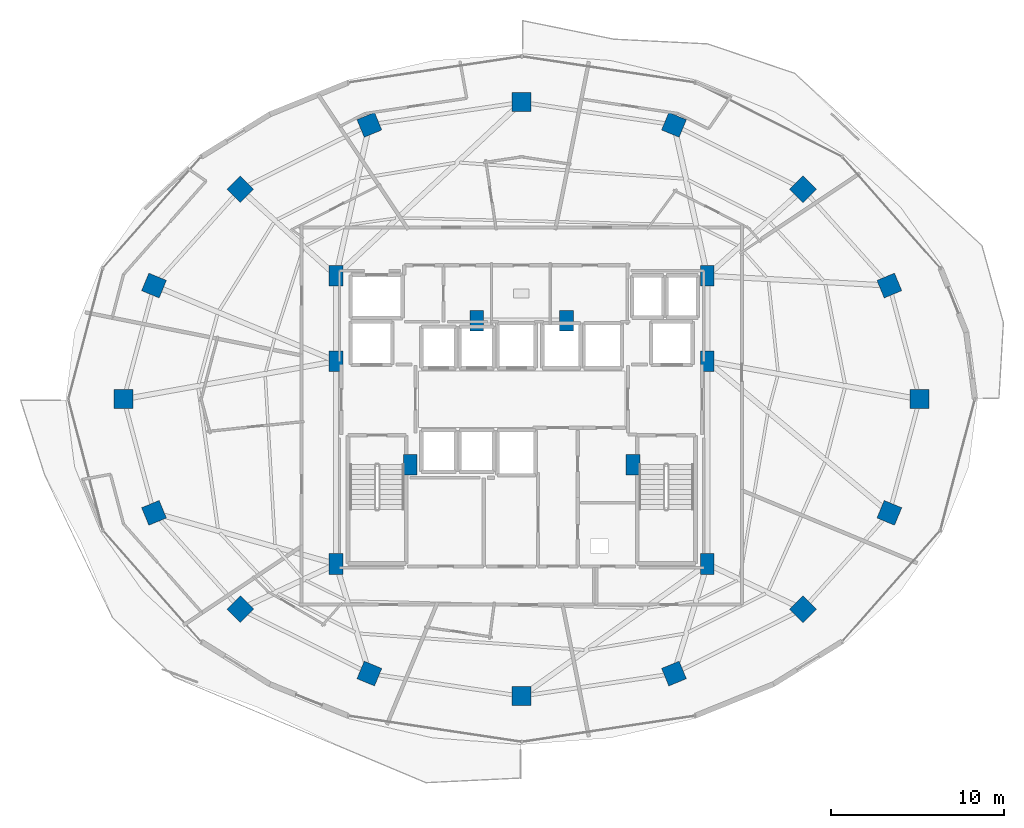
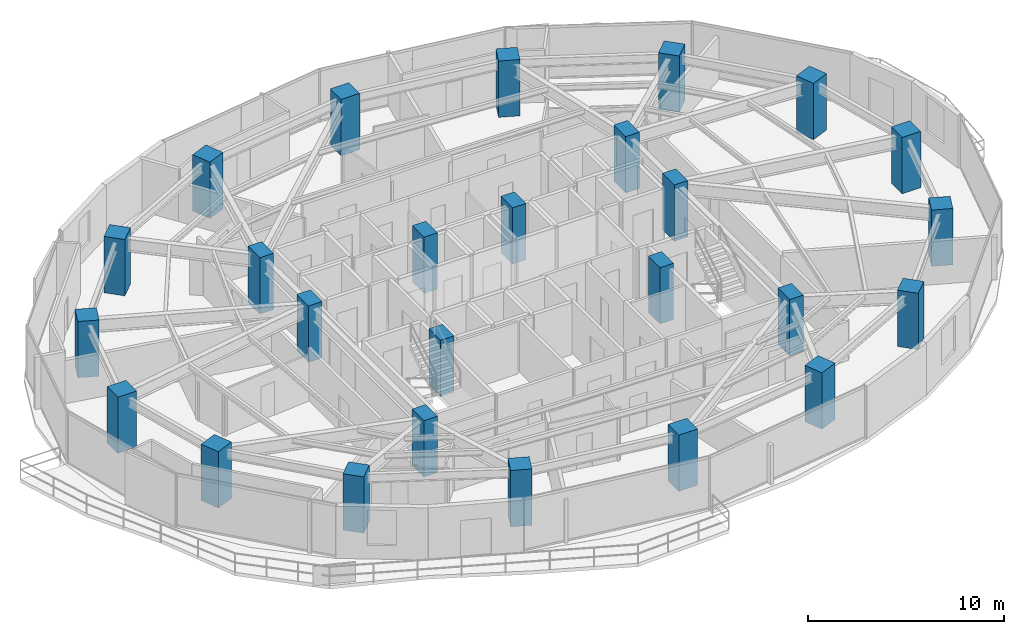
# One storey, part 1 of 30: 26 columns.
"""IFC4 building model written with IfcOpenShell, lengths in metres."""

from ifc_helpers import new_model, si_unit, direction, frame, origin, origin_2d, place, context, subcontext, project, spatial, rectangle, extrude, material, material_profile, profile_set, type_object, element, save


model = new_model("IFC4")

# Units and contexts
model_context = context("Model", 3, precision=1e-05, world=origin(), true_north=direction((0.0, 1.0)))
body_context = subcontext(model_context, "Body", "Model", "MODEL_VIEW")
ifc_project = project(units=[si_unit("LENGTHUNIT", "METRE"), si_unit("AREAUNIT", "SQUARE_METRE"), si_unit("VOLUMEUNIT", "CUBIC_METRE"), si_unit("PLANEANGLEUNIT", "RADIAN"), si_unit("MASSUNIT", "GRAM", prefix="KILO")], contexts=[model_context])

# Site, building, storey
site_placement = place(None, origin())
site = spatial("IfcSite", under=ifc_project, at=site_placement, CompositionType="ELEMENT")
building_placement = place(site_placement, origin())
building = spatial("IfcBuilding", under=site, at=building_placement, Name="Vorneva Point Tower", CompositionType="ELEMENT")
storey_placement = place(building_placement, frame((0.0, 0.0, 78.800048828125)))
storey = spatial("IfcBuildingStorey", under=building, at=storey_placement, Name="L20", CompositionType="ELEMENT", Elevation=78.800048828125)

# Columns
ifc_material = material(Name="Concrete B60 (C50/60)", Category="concrete")
ifc_material_profile_1 = material_profile(ifc_material, rectangle(XDim=1.10009765625, YDim=1.10009765625, at=origin_2d()), Name="RC-COL 1100x1100")
ifc_profile_set_1 = profile_set([ifc_material_profile_1], Name="Concrete B60 (C50/60)")
column_type_1 = type_object("IfcColumnType", Name="COL-RC1100", PredefinedType="COLUMN", material=ifc_profile_set_1)
for number, where, z_axis, x_axis, name in (
    (1, (61.050048828125, 26.0, 0.0), (0.0, 0.0, 1.0), (1.0, 0.0, 0.0), "L20 Perimeter Column P01"),
    (2, (59.29541015625, 32.582275390625, 0.0), (0.0, 0.0, 1.0), (0.923879532511, 0.382683432365, 0.0), "L20 Perimeter Column P02"),
    (3, (54.298828125, 38.162109375, 0.0), (0.0, 0.0, 1.0), (0.707106781187, 0.707106781187, 0.0), "L20 Perimeter Column P03"),
    (4, (46.82080078125, 41.890625, 0.0), (0.0, 0.0, 1.0), (0.382683432365, 0.923879532511, 0.0), "L20 Perimeter Column P04"),
    (5, (38.0, 43.199951171875, 0.0), (0.0, 0.0, 1.0), (0.0, 1.0, 0.0), "L20 Perimeter Column P05"),
    (6, (29.17919921875, 41.890625, 0.0), (0.0, 0.0, 1.0), (-0.382683432365, 0.923879532511, 0.0), "L20 Perimeter Column P06"),
    (7, (21.701171875, 38.162109375, 0.0), (0.0, 0.0, 1.0), (-0.707106781187, 0.707106781187, 0.0), "L20 Perimeter Column P07"),
    (8, (16.70458984375, 32.582275390625, 0.0), (0.0, 0.0, 1.0), (-0.923879532511, 0.382683432365, 0.0), "L20 Perimeter Column P08"),
    (9, (14.949951171875, 26.0, 0.0), (0.0, 0.0, 1.0), (-1.0, 0.0, 0.0), "L20 Perimeter Column P09"),
    (10, (16.70458984375, 19.417724609375, 0.0), (0.0, 0.0, 1.0), (-0.923879532511, -0.382683432365, 0.0), "L20 Perimeter Column P10"),
    (11, (21.701171875, 13.837890625, 0.0), (0.0, 0.0, 1.0), (-0.707106781187, -0.707106781187, 0.0), "L20 Perimeter Column P11"),
    (12, (29.17919921875, 10.109375, 0.0), (0.0, 0.0, 1.0), (-0.382683432365, -0.923879532511, 0.0), "L20 Perimeter Column P12"),
    (13, (38.0, 8.800048828125, 0.0), (0.0, 0.0, 1.0), (0.0, -1.0, 0.0), "L20 Perimeter Column P13"),
    (14, (46.82080078125, 10.109375, 0.0), (0.0, 0.0, 1.0), (0.382683432365, -0.923879532511, 0.0), "L20 Perimeter Column P14"),
    (15, (54.298828125, 13.837890625, 0.0), (0.0, 0.0, 1.0), (0.707106781187, -0.707106781187, 0.0), "L20 Perimeter Column P15"),
    (16, (59.29541015625, 19.417724609375, 0.0), (0.0, 0.0, 1.0), (0.923879532511, -0.382683432365, 0.0), "L20 Perimeter Column P16"),
):
    element("IfcColumn", number, at=place(storey_placement, frame(where, z_axis=z_axis, x_axis=x_axis)), inside=storey, type_object=column_type_1, Name=name, PredefinedType="COLUMN", context=body_context, shape_type="SweptSolid", body=[
        extrude(rectangle(XDim=1.10009765625, YDim=1.10009765625, at=origin_2d()), origin(), (0.0, 0.0, 1.0), 3.5),
    ])
ifc_material_profile_2 = material_profile(ifc_material, rectangle(XDim=0.800048828125, YDim=1.199951171875, at=origin_2d()), Name="RC-PIL 1200x800")
ifc_profile_set_2 = profile_set([ifc_material_profile_2], Name="Concrete B60 (C50/60)")
column_type_2 = type_object("IfcColumnType", Name="PIL-RC1200x800", PredefinedType="PILASTER", material=ifc_profile_set_2)
for number, where, z_axis, x_axis, name in (
    (17, (27.25, 16.449951171875, 0.0), (0.0, 0.0, 1.0), (1.0, 0.0, 0.0), "L20 Core Pilaster CP1"),
    (18, (27.25, 28.199951171875, 0.0), (0.0, 0.0, 1.0), (1.0, 0.0, 0.0), "L20 Core Pilaster CP2"),
    (19, (27.25, 33.14990234375, 0.0), (0.0, 0.0, 1.0), (1.0, 0.0, 0.0), "L20 Core Pilaster CP3"),
    (20, (31.550048828125, 22.199951171875, 0.0), (0.0, 0.0, 1.0), (1.0, 0.0, 0.0), "L20 Core Pilaster CP4"),
    (21, (48.75, 33.14990234375, 0.0), (0.0, 0.0, 1.0), (1.0, 0.0, 0.0), "L20 Core Pilaster CP5"),
    (22, (48.75, 28.199951171875, 0.0), (0.0, 0.0, 1.0), (1.0, 0.0, 0.0), "L20 Core Pilaster CP6"),
    (23, (48.75, 16.449951171875, 0.0), (0.0, 0.0, 1.0), (1.0, 0.0, 0.0), "L20 Core Pilaster CP7"),
    (24, (44.449951171875, 22.199951171875, 0.0), (0.0, 0.0, 1.0), (1.0, 0.0, 0.0), "L20 Core Pilaster CP8"),
    (25, (35.39990234375, 30.550048828125, 0.0), (0.0, 0.0, 1.0), (1.0, 0.0, 0.0), "L20 Core Pilaster CP9"),
    (26, (40.60009765625, 30.550048828125, 0.0), (0.0, 0.0, 1.0), (1.0, 0.0, 0.0), "L20 Core Pilaster CP10"),
):
    element("IfcColumn", number, at=place(storey_placement, frame(where, z_axis=z_axis, x_axis=x_axis)), inside=storey, type_object=column_type_2, Name=name, PredefinedType="PILASTER", context=body_context, shape_type="SweptSolid", body=[
        extrude(rectangle(XDim=0.800048828125, YDim=1.199951171875, at=origin_2d()), origin(), (0.0, 0.0, 1.0), 3.5),
    ])

save(model, "model.ifc")
